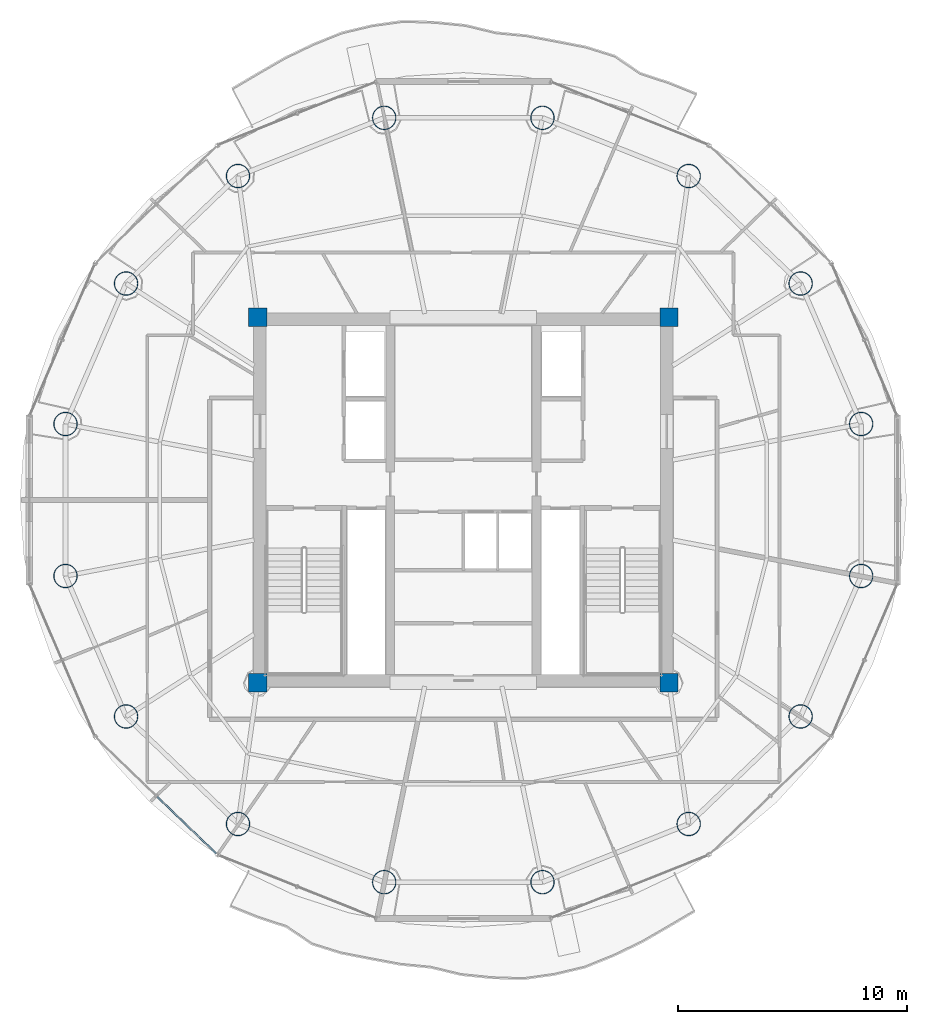
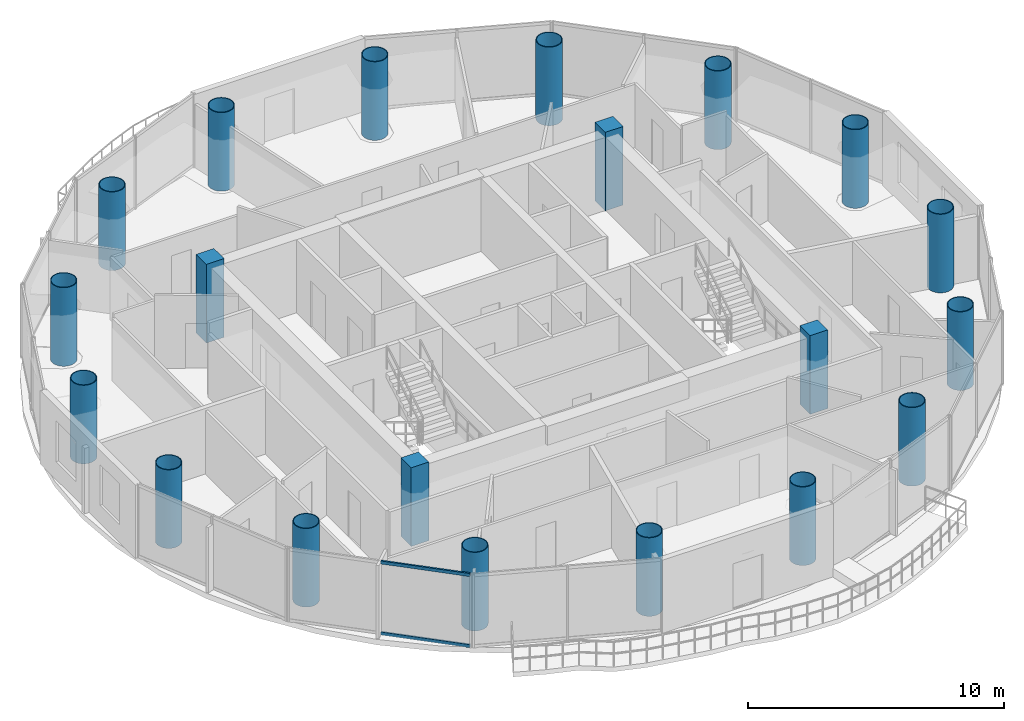
# One storey, part 1 of 23: 20 columns, 2 members, 1 element without a shape of its own.
"""IFC4 building model written with IfcOpenShell, lengths in metres."""

from ifc_helpers import new_model, si_unit, direction, frame, origin, origin_2d, place, context, subcontext, project, spatial, rectangle, hollow_rectangle, hollow_circle, extrude, source, transform, mapped, material, material_profile, profile_set, type_object, element, aggregate, save


model = new_model("IFC4")

# Units and contexts
model_context = context("Model", 3, precision=1e-05, world=origin(), true_north=direction((-0.2419218956, 0.970295726276)))
body_context = subcontext(model_context, "Body", "Model", "MODEL_VIEW")
ifc_project = project(units=[si_unit("LENGTHUNIT", "METRE"), si_unit("AREAUNIT", "SQUARE_METRE"), si_unit("VOLUMEUNIT", "CUBIC_METRE"), si_unit("PLANEANGLEUNIT", "RADIAN"), si_unit("MASSUNIT", "GRAM", prefix="KILO")], contexts=[model_context])

# Site, building, storey
site_placement = place(None, origin())
site = spatial("IfcSite", under=ifc_project, at=site_placement, CompositionType="ELEMENT")
building_placement = place(site_placement, origin())
building = spatial("IfcBuilding", under=site, at=building_placement, Name="Cobrevalo Terracotta Tower", CompositionType="ELEMENT")
storey_placement = place(building_placement, frame((0.0, 0.0, 259.449951171875)))
storey = spatial("IfcBuildingStorey", under=building, at=storey_placement, Name="L68", CompositionType="ELEMENT", Elevation=259.449951171875)

# Columns
ifc_material_1 = material(Name="Steel S355", Category="steel")
ifc_material_profile_1 = material_profile(ifc_material_1, hollow_circle(Radius=0.52490234375, WallThickness=0.034912109375, at=origin_2d()), Name="CHS 1050x35")
ifc_profile_set_1 = profile_set([ifc_material_profile_1], Name="Steel S355")
column_type_1 = type_object("IfcColumnType", Name="Structural Column CHS 1050x35 (Steel S355)", PredefinedType="COLUMN", material=ifc_profile_set_1)
for number, where, z_axis, x_axis, name in (
    (1, (55.408935546875, 30.126220703125, 0.0), (0.0, 0.0, 1.0), (1.0, 0.0, 0.0), "L68 composite megacolumn MC01"),
    (2, (52.758544921875, 36.2724609375, 0.0), (0.0, 0.0, 1.0), (1.0, 0.0, 0.0), "L68 composite megacolumn MC02"),
    (3, (47.861328125, 40.9765625, 0.0), (0.0, 0.0, 1.0), (1.0, 0.0, 0.0), "L68 composite megacolumn MC03"),
    (4, (41.462890625, 43.5224609375, 0.0), (0.0, 0.0, 1.0), (1.0, 0.0, 0.0), "L68 composite megacolumn MC04"),
    (5, (34.537109375, 43.5224609375, 0.0), (0.0, 0.0, 1.0), (1.0, 0.0, 0.0), "L68 composite megacolumn MC05"),
    (6, (28.138671875, 40.9765625, 0.0), (0.0, 0.0, 1.0), (1.0, 0.0, 0.0), "L68 composite megacolumn MC06"),
    (7, (23.241455078125, 36.2724609375, 0.0), (0.0, 0.0, 1.0), (1.0, 0.0, 0.0), "L68 composite megacolumn MC07"),
    (8, (20.591064453125, 30.126220703125, 0.0), (0.0, 0.0, 1.0), (1.0, 0.0, 0.0), "L68 composite megacolumn MC08"),
    (9, (20.591064453125, 23.4736328125, 0.0), (0.0, 0.0, 1.0), (1.0, 0.0, 0.0), "L68 composite megacolumn MC09"),
    (10, (23.241455078125, 17.32763671875, 0.0), (0.0, 0.0, 1.0), (1.0, 0.0, 0.0), "L68 composite megacolumn MC10"),
    (11, (28.138671875, 12.62353515625, 0.0), (0.0, 0.0, 1.0), (1.0, 0.0, 0.0), "L68 composite megacolumn MC11"),
    (12, (34.537109375, 10.07763671875, 0.0), (0.0, 0.0, 1.0), (1.0, 0.0, 0.0), "L68 composite megacolumn MC12"),
    (13, (41.462890625, 10.07763671875, 0.0), (0.0, 0.0, 1.0), (1.0, 0.0, 0.0), "L68 composite megacolumn MC13"),
    (14, (47.861328125, 12.62353515625, 0.0), (0.0, 0.0, 1.0), (1.0, 0.0, 0.0), "L68 composite megacolumn MC14"),
    (15, (52.758544921875, 17.32763671875, 0.0), (0.0, 0.0, 1.0), (1.0, 0.0, 0.0), "L68 composite megacolumn MC15"),
    (16, (55.408935546875, 23.4736328125, 0.0), (0.0, 0.0, 1.0), (1.0, 0.0, 0.0), "L68 composite megacolumn MC16"),
):
    element("IfcColumn", number, at=place(storey_placement, frame(where, z_axis=z_axis, x_axis=x_axis)), inside=storey, type_object=column_type_1, Name=name, PredefinedType="COLUMN", context=body_context, shape_type="SweptSolid", body=[
        extrude(hollow_circle(Radius=0.52490234375, WallThickness=0.034912109375, at=origin_2d()), origin(), (0.0, 0.0, 1.0), 3.75),
    ])
ifc_material_2 = material(Name="Concrete C50", Category="concrete")
ifc_material_profile_2 = material_profile(ifc_material_2, rectangle(XDim=0.800048828125, YDim=0.800048828125, at=origin_2d()), Name="RC COL 800x800")
ifc_profile_set_2 = profile_set([ifc_material_profile_2], Name="Concrete C50")
column_type_2 = type_object("IfcColumnType", Name="Structural Column RC COL 800x800 (Concrete C50)", PredefinedType="COLUMN", material=ifc_profile_set_2)
for number, where, z_axis, x_axis, name in (
    (17, (29.0, 18.800048828125, 0.0), (0.0, 0.0, 1.0), (1.0, 0.0, 0.0), "L68 core corner column CC1"),
    (18, (47.0, 18.800048828125, 0.0), (0.0, 0.0, 1.0), (1.0, 0.0, 0.0), "L68 core corner column CC2"),
    (19, (47.0, 34.800048828125, 0.0), (0.0, 0.0, 1.0), (1.0, 0.0, 0.0), "L68 core corner column CC3"),
    (20, (29.0, 34.800048828125, 0.0), (0.0, 0.0, 1.0), (1.0, 0.0, 0.0), "L68 core corner column CC4"),
):
    element("IfcColumn", number, at=place(storey_placement, frame(where, z_axis=z_axis, x_axis=x_axis)), inside=storey, type_object=column_type_2, Name=name, PredefinedType="COLUMN", context=body_context, shape_type="SweptSolid", body=[
        extrude(rectangle(XDim=0.800048828125, YDim=0.800048828125, at=origin_2d()), origin(), (0.0, 0.0, 1.0), 3.75),
    ])

# Curtain wall, members
ifc_material_3 = material(Name="Anodized aluminium", Category="aluminium")
curtain_wall_type = type_object("IfcCurtainWallType", Name="Upper-tower triple-glazed penthouse curtain wall CW-U3", PredefinedType="NOTDEFINED", material=ifc_material_3)
curtain_wall_placement = place(storey_placement, origin())
curtain_wall = element("IfcCurtainWall", 21, at=curtain_wall_placement, inside=storey, type_object=curtain_wall_type, Name="L68 curtain wall CW-L68-S10", PredefinedType="NOTDEFINED")
ifc_material_profile_3 = material_profile(ifc_material_3, hollow_rectangle(XDim=0.074951171875, YDim=0.14990234375, WallThickness=0.00439453125, at=origin_2d()), Name="CWT 75x150")
ifc_profile_set_3 = profile_set([ifc_material_profile_3], Name="Anodized aluminium")
member_type = type_object("IfcMemberType", Name="Tower unitised aluminium transom 75x150", PredefinedType="USERDEFINED", material=ifc_profile_set_3)
shared_shape = source(origin(), body_context, "Body", "SweptSolid", [
    extrude(hollow_rectangle(XDim=0.074951171875, YDim=0.14990234375, WallThickness=0.00439453125, at=origin_2d()), origin(), (0.0, 0.0, 1.0), 3.59130859375),
])
member_1_placement = place(storey_placement, frame((24.59521484375, 13.82421875, 0.050048828125), z_axis=(0.720005628362, -0.693968223427, 0.0), x_axis=(0.693968223427, 0.720005628362, 0.0)))
member_1 = element("IfcMember", 22, at=member_1_placement, type_object=member_type, Name="CW-L68-S10 transom B02-T1", ObjectType="TRANSOM", PredefinedType="USERDEFINED", context=body_context, shape_type="MappedRepresentation", body=[
    mapped(shared_shape, transform((0.0, 0.0, 0.0), scale=1.0)),
])
member_2_placement = place(storey_placement, frame((24.59521484375, 13.82421875, 3.43994140625), z_axis=(0.720005628362, -0.693968223427, 0.0), x_axis=(0.693968223427, 0.720005628362, 0.0)))
member_2 = element("IfcMember", 23, at=member_2_placement, type_object=member_type, Name="CW-L68-S10 transom B02-T2", ObjectType="TRANSOM", PredefinedType="USERDEFINED", context=body_context, shape_type="MappedRepresentation", body=[
    mapped(shared_shape, transform((0.0, 0.0, 0.0), scale=1.0)),
])
aggregate(curtain_wall, [member_1, member_2])

save(model, "model.ifc")
